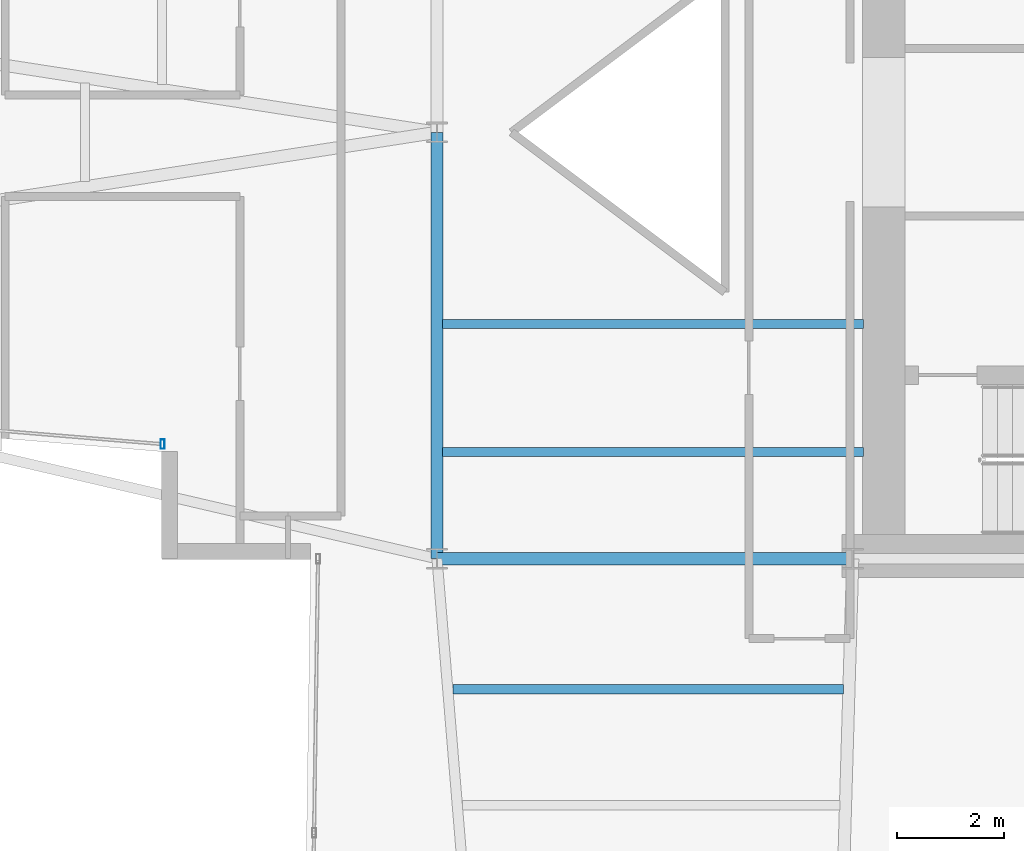
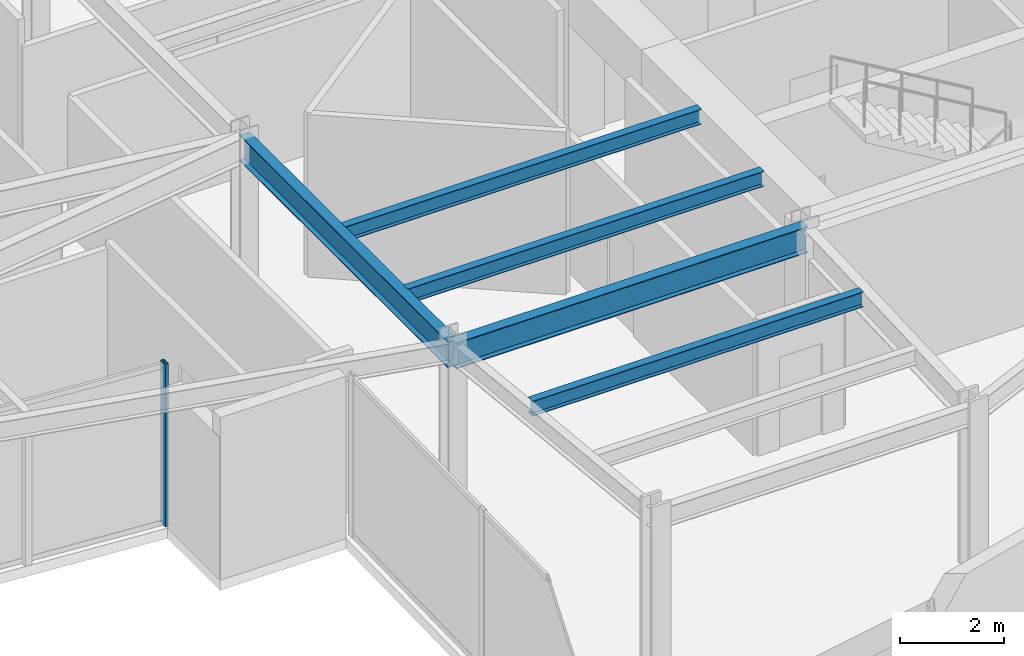
# One storey, part 5 of 25: 5 beams, 1 member, 1 element without a shape of its own.
"""IFC4 building model written with IfcOpenShell, lengths in metres."""

from ifc_helpers import new_model, si_unit, direction, frame, origin, origin_2d, place, context, subcontext, project, spatial, hollow_rectangle, i_section, extrude, material, layer, layer_set, material_profile, profile_set, type_object, element, aggregate, save


model = new_model("IFC4")

# Units and contexts
model_context = context("Model", 3, precision=1e-05, world=origin(), true_north=direction((0.0, 1.0)))
body_context = subcontext(model_context, "Body", "Model", "MODEL_VIEW")
ifc_project = project(units=[si_unit("LENGTHUNIT", "METRE"), si_unit("AREAUNIT", "SQUARE_METRE"), si_unit("VOLUMEUNIT", "CUBIC_METRE"), si_unit("PLANEANGLEUNIT", "RADIAN"), si_unit("MASSUNIT", "GRAM", prefix="KILO")], contexts=[model_context])

# Site, building, storey
site_placement = place(None, origin())
site = spatial("IfcSite", under=ifc_project, at=site_placement, CompositionType="ELEMENT")
building_placement = place(site_placement, origin())
building = spatial("IfcBuilding", under=site, at=building_placement, Name="Veymaron Broadcast Tower", CompositionType="ELEMENT")
storey_placement = place(building_placement, frame((0.0, 0.0, 116.85009765625)))
storey = spatial("IfcBuildingStorey", under=building, at=storey_placement, Name="L26", CompositionType="ELEMENT", Elevation=116.85009765625)

# Beams
ifc_material_1 = material(Name="Structural steel ASTM A992 Gr 50", Category="steel")
ifc_material_profile_1 = material_profile(ifc_material_1, i_section(OverallWidth=0.22802734375, OverallDepth=0.60791015625, WebThickness=0.01123046875, FlangeThickness=0.017333984375, at=origin_2d()), Name="W610X113")
ifc_profile_set_1 = profile_set([ifc_material_profile_1], Name="Structural steel ASTM A992 Gr 50")
beam_type_1 = type_object("IfcBeamType", Name="BM-FG2", PredefinedType="BEAM", material=ifc_profile_set_1)
beam_1_placement = place(storey_placement, frame((31.199951171875, 16.0, 3.505859375), z_axis=(0.0, 1.0, 0.0), x_axis=(-1.0, 0.0, 0.0)))
element("IfcBeam", 1, at=beam_1_placement, inside=storey, type_object=beam_type_1, Name="L26 primary structural floor girder", PredefinedType="BEAM", context=body_context, shape_type="SweptSolid", body=[
    extrude(i_section(OverallWidth=0.22802734375, OverallDepth=0.60791015625, WebThickness=0.01123046875, FlangeThickness=0.017333984375, at=origin_2d()), origin(), (0.0, 0.0, 1.0), 8.0),
])
beam_2_placement = place(storey_placement, frame((31.199951171875, 16.0, 3.505859375), z_axis=(1.0, 0.0, 0.0), x_axis=(0.0, 1.0, 0.0)))
element("IfcBeam", 2, at=beam_2_placement, inside=storey, type_object=beam_type_1, Name="L26 primary structural floor girder", PredefinedType="BEAM", context=body_context, shape_type="SweptSolid", body=[
    extrude(i_section(OverallWidth=0.22802734375, OverallDepth=0.60791015625, WebThickness=0.01123046875, FlangeThickness=0.017333984375, at=origin_2d()), origin(), (0.0, 0.0, 1.0), 7.800048828125),
])
ifc_material_profile_2 = material_profile(ifc_material_1, i_section(OverallWidth=0.1708984375, OverallDepth=0.35498046875, WebThickness=0.007080078125, FlangeThickness=0.01171875, at=origin_2d()), Name="W360X51")
ifc_profile_set_2 = profile_set([ifc_material_profile_2], Name="Structural steel ASTM A992 Gr 50")
beam_type_2 = type_object("IfcBeamType", Name="BM-JS2", PredefinedType="JOIST", material=ifc_profile_set_2)
beam_3_placement = place(storey_placement, frame((31.501708984375, 13.552001953125, 3.63232421875), z_axis=(1.0, 0.0, 0.0), x_axis=(0.0, 1.0, 0.0)))
element("IfcBeam", 3, at=beam_3_placement, inside=storey, type_object=beam_type_2, Name="L26 Arm-C secondary joist 1", PredefinedType="JOIST", context=body_context, shape_type="SweptSolid", body=[
    extrude(i_section(OverallWidth=0.1708984375, OverallDepth=0.35498046875, WebThickness=0.007080078125, FlangeThickness=0.01171875, at=origin_2d()), origin(), (0.0, 0.0, 1.0), 7.326171875),
])
for number, where, z_axis, x_axis, name in (
    (4, (31.300048828125, 18.0, 3.63232421875), (1.0, 0.0, 0.0), (0.0, 1.0, 0.0), "L26 Hub secondary joist 1"),
    (5, (31.300048828125, 20.39990234375, 3.63232421875), (1.0, 0.0, 0.0), (0.0, 1.0, 0.0), "L26 Hub secondary joist 2"),
):
    element("IfcBeam", number, at=place(storey_placement, frame(where, z_axis=z_axis, x_axis=x_axis)), inside=storey, type_object=beam_type_2, Name=name, PredefinedType="JOIST", context=body_context, shape_type="SweptSolid", body=[
        extrude(i_section(OverallWidth=0.1708984375, OverallDepth=0.35498046875, WebThickness=0.007080078125, FlangeThickness=0.01171875, at=origin_2d()), origin(), (0.0, 0.0, 1.0), 7.89990234375),
    ])

# Curtain wall, member
ifc_material_2 = material(Name="Anodised aluminium AA 6063-T6 and laminated low-E dark glass", Category="aluminium")
ifc_layer = layer(ifc_material_2, 0.179931640625)
ifc_layer_set = layer_set([ifc_layer], Name="Anodised aluminium AA 6063-T6 and laminated low-E dark glass")
curtain_wall_type = type_object("IfcCurtainWallType", Name="CW-SYS-03", PredefinedType="NOTDEFINED", material=ifc_layer_set)
curtain_wall_placement = place(storey_placement, origin())
curtain_wall = element("IfcCurtainWall", 6, at=curtain_wall_placement, inside=storey, type_object=curtain_wall_type, Name="L26 dark-glass curtain wall CW-L26-E14-1", PredefinedType="NOTDEFINED")
ifc_material_3 = material(Name="Anodised aluminium AA 6063-T6", Category="aluminium")
ifc_material_profile_3 = material_profile(ifc_material_3, hollow_rectangle(XDim=0.074951171875, YDim=0.179931640625, WallThickness=0.0048828125, at=origin_2d()), Name="AL180X75X5")
ifc_profile_set_3 = profile_set([ifc_material_profile_3], Name="Anodised aluminium AA 6063-T6")
member_type = type_object("IfcMemberType", Name="CW-MUL-02", PredefinedType="MULLION", material=ifc_profile_set_3)
member_placement = place(storey_placement, frame((26.051513671875, 18.149169921875, 0.0), z_axis=(0.0, 0.0, 1.0), x_axis=(1.0, 0.0, 0.0)))
member = element("IfcMember", 7, at=member_placement, type_object=member_type, Name="CW-L26-E14-1 mullion 2", PredefinedType="MULLION", context=body_context, shape_type="SweptSolid", body=[
    extrude(hollow_rectangle(XDim=0.074951171875, YDim=0.179931640625, WallThickness=0.0048828125, at=origin_2d()), origin(), (0.0, 0.0, 1.0), 3.809814453125),
])
aggregate(curtain_wall, [member])

save(model, "model.ifc")
